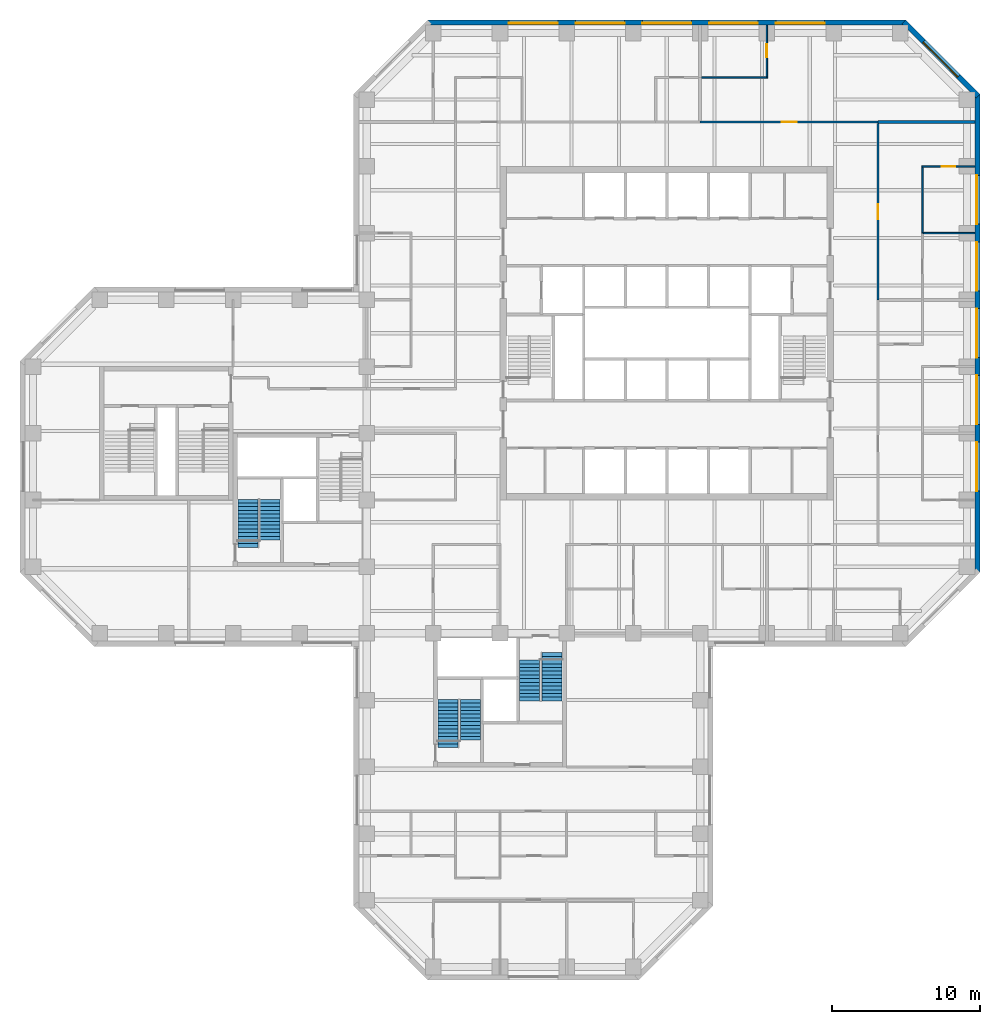
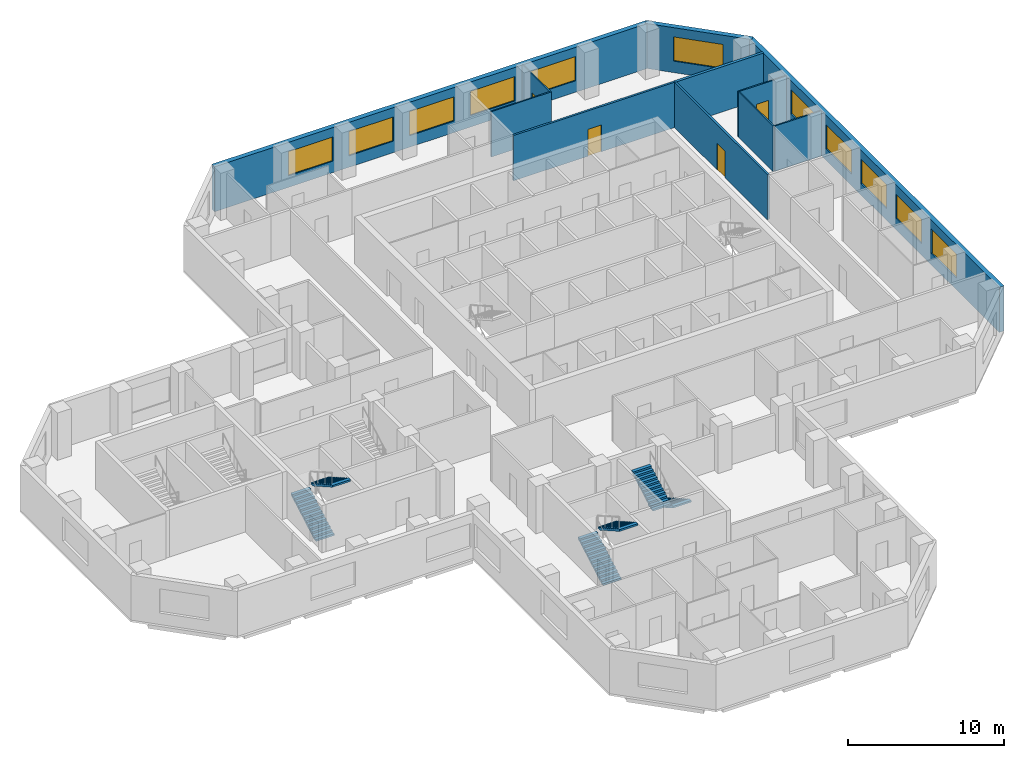
# One storey, part 9 of 11: 11 walls, 11 windows, 6 stair flights, 4 doors, 15 openings, 3 elements without a shape of their own.
"""IFC4 building model written with IfcOpenShell, lengths in metres."""

from ifc_helpers import new_model, si_unit, direction, frame, frame_2d, origin, place, context, subcontext, project, spatial, polyline, rectangle, outline, extrude, material, layer, layer_set, constituent, constituent_set, type_object, element, fill, aggregate, save


model = new_model("IFC4")

# Units and contexts
model_context = context("Model", 3, precision=1e-05, world=origin(), true_north=direction((0.0, 1.0)))
body_context = subcontext(model_context, "Body", "Model", "MODEL_VIEW")
ifc_project = project(units=[si_unit("LENGTHUNIT", "METRE"), si_unit("AREAUNIT", "SQUARE_METRE"), si_unit("VOLUMEUNIT", "CUBIC_METRE"), si_unit("PLANEANGLEUNIT", "RADIAN"), si_unit("MASSUNIT", "GRAM", prefix="KILO")], contexts=[model_context])

# Site, building, storey
site_placement = place(None, origin())
site = spatial("IfcSite", under=ifc_project, at=site_placement, CompositionType="ELEMENT")
building_placement = place(site_placement, origin())
building = spatial("IfcBuilding", under=site, at=building_placement, Name="Quoin Convention Tower", CompositionType="ELEMENT")
storey_placement = place(building_placement, frame((0.0, 0.0, 130.699951171875)))
storey = spatial("IfcBuildingStorey", under=building, at=storey_placement, Name="L34", CompositionType="ELEMENT", Elevation=130.699951171875)

# Wall, openings, windows
ifc_material_1 = material(Name="Brick masonry", Category="masonry")
ifc_layer_1 = layer(ifc_material_1, 0.35009765625)
ifc_layer_set_1 = layer_set([ifc_layer_1], Name="Brick masonry")
wall_type_1 = type_object("IfcWallType", Name="Brick facade wall", PredefinedType="STANDARD", material=ifc_layer_set_1)
wall_1_placement = place(storey_placement, frame((77.199951171875, 44.6376953125, 0.0), z_axis=(0.0, 0.0, 1.0), x_axis=(0.0, 1.0, 0.0)))
wall_1 = element("IfcWall", 1, at=wall_1_placement, inside=storey, type_object=wall_type_1, Name="fw-L34-76500_45000", PredefinedType="STANDARD", context=body_context, shape_type="SweptSolid", body=[
    extrude(rectangle(XDim=32.224609375, YDim=0.35009765625, at=frame_2d((16.1123046875, 0.0))), origin(), (0.0, 0.0, 1.0), 3.525146484375),
])
opening_1_placement = place(wall_1_placement, frame((5.46240234375, 0.0, 0.89990234375)))
opening_1 = element("IfcOpeningElement", 2, at=opening_1_placement, cuts=wall_1, Name="Opening W-02", PredefinedType="OPENING", context=body_context, shape_type="SweptSolid", body=[
    extrude(rectangle(XDim=3.300048828125, YDim=1.89990234375, at=frame_2d((1.64990234375, 0.949951171875))), frame((0.0, 0.18505859375, 0.0), z_axis=(0.0, -1.0, 0.0), x_axis=(1.0, 0.0, 0.0)), (0.0, 0.0, 1.0), 0.3701171875),
])
opening_2_placement = place(wall_1_placement, frame((9.96240234375, 0.0, 0.89990234375)))
opening_2 = element("IfcOpeningElement", 3, at=opening_2_placement, cuts=wall_1, Name="Opening W-02", PredefinedType="OPENING", context=body_context, shape_type="SweptSolid", body=[
    extrude(rectangle(XDim=3.300048828125, YDim=1.89990234375, at=frame_2d((1.64990234375, 0.949951171875))), frame((0.0, 0.18505859375, 0.0), z_axis=(0.0, -1.0, 0.0), x_axis=(1.0, 0.0, 0.0)), (0.0, 0.0, 1.0), 0.3701171875),
])
opening_3_placement = place(wall_1_placement, frame((14.46240234375, 0.0, 0.89990234375)))
opening_3 = element("IfcOpeningElement", 4, at=opening_3_placement, cuts=wall_1, Name="Opening W-02", PredefinedType="OPENING", context=body_context, shape_type="SweptSolid", body=[
    extrude(rectangle(XDim=3.300048828125, YDim=1.89990234375, at=frame_2d((1.64990234375, 0.949951171875))), frame((0.0, 0.18505859375, 0.0), z_axis=(0.0, -1.0, 0.0), x_axis=(1.0, 0.0, 0.0)), (0.0, 0.0, 1.0), 0.3701171875),
])
opening_4_placement = place(wall_1_placement, frame((18.96240234375, 0.0, 0.89990234375)))
opening_4 = element("IfcOpeningElement", 5, at=opening_4_placement, cuts=wall_1, Name="Opening W-02", PredefinedType="OPENING", context=body_context, shape_type="SweptSolid", body=[
    extrude(rectangle(XDim=3.300048828125, YDim=1.89990234375, at=frame_2d((1.64990234375, 0.949951171875))), frame((0.0, 0.18505859375, 0.0), z_axis=(0.0, -1.0, 0.0), x_axis=(1.0, 0.0, 0.0)), (0.0, 0.0, 1.0), 0.3701171875),
])
opening_5_placement = place(wall_1_placement, frame((23.46240234375, 0.0, 0.89990234375)))
opening_5 = element("IfcOpeningElement", 6, at=opening_5_placement, cuts=wall_1, Name="Opening W-02", PredefinedType="OPENING", context=body_context, shape_type="SweptSolid", body=[
    extrude(rectangle(XDim=3.300048828125, YDim=1.89990234375, at=frame_2d((1.64990234375, 0.949951171875))), frame((0.0, 0.18505859375, 0.0), z_axis=(0.0, -1.0, 0.0), x_axis=(1.0, 0.0, 0.0)), (0.0, 0.0, 1.0), 0.3701171875),
])
ifc_material_2 = material(Name="Aluminium", Category="aluminium")
ifc_constituent_1 = constituent(ifc_material_2, Name="Frame")
ifc_material_3 = material(Name="Insulated glass", Category="glass")
ifc_constituent_2 = constituent(ifc_material_3, Name="Glazing")
ifc_constituent_set = constituent_set(constituents=[ifc_constituent_1, ifc_constituent_2], Name="Aluminium")
window_type = type_object("IfcWindowType", Name="Office window", PartitioningType="DOUBLE_PANEL_VERTICAL", PredefinedType="WINDOW", material=ifc_constituent_set)
window_1_placement = place(opening_1_placement, origin())
window_1 = element("IfcWindow", 7, at=window_1_placement, inside=storey, type_object=window_type, Name="win-L34-77200_51750", OverallHeight=1.89990234375, OverallWidth=3.300048828125, PartitioningType="SINGLE_PANEL", PredefinedType="WINDOW", context=body_context, shape_type="SweptSolid", body=[
    extrude(rectangle(XDim=3.300048828125, YDim=1.89990234375, at=frame_2d((1.64990234375, 0.949951171875))), frame((0.0, 0.0849609375, 0.0), z_axis=(0.0, -1.0, 0.0), x_axis=(1.0, 0.0, 0.0)), (0.0, 0.0, 1.0), 0.06005859375),
])
fill(opening_1, window_1)
window_2_placement = place(opening_2_placement, origin())
window_2 = element("IfcWindow", 8, at=window_2_placement, inside=storey, type_object=window_type, Name="win-L34-77200_56250", OverallHeight=1.89990234375, OverallWidth=3.300048828125, PartitioningType="SINGLE_PANEL", PredefinedType="WINDOW", context=body_context, shape_type="SweptSolid", body=[
    extrude(rectangle(XDim=3.300048828125, YDim=1.89990234375, at=frame_2d((1.64990234375, 0.949951171875))), frame((0.0, 0.0849609375, 0.0), z_axis=(0.0, -1.0, 0.0), x_axis=(1.0, 0.0, 0.0)), (0.0, 0.0, 1.0), 0.06005859375),
])
fill(opening_2, window_2)
window_3_placement = place(opening_3_placement, origin())
window_3 = element("IfcWindow", 9, at=window_3_placement, inside=storey, type_object=window_type, Name="win-L34-77200_60750", OverallHeight=1.89990234375, OverallWidth=3.300048828125, PartitioningType="SINGLE_PANEL", PredefinedType="WINDOW", context=body_context, shape_type="SweptSolid", body=[
    extrude(rectangle(XDim=3.300048828125, YDim=1.89990234375, at=frame_2d((1.64990234375, 0.949951171875))), frame((0.0, 0.0849609375, 0.0), z_axis=(0.0, -1.0, 0.0), x_axis=(1.0, 0.0, 0.0)), (0.0, 0.0, 1.0), 0.06005859375),
])
fill(opening_3, window_3)
window_4_placement = place(opening_4_placement, origin())
window_4 = element("IfcWindow", 10, at=window_4_placement, inside=storey, type_object=window_type, Name="win-L34-77200_65250", OverallHeight=1.89990234375, OverallWidth=3.300048828125, PartitioningType="SINGLE_PANEL", PredefinedType="WINDOW", context=body_context, shape_type="SweptSolid", body=[
    extrude(rectangle(XDim=3.300048828125, YDim=1.89990234375, at=frame_2d((1.64990234375, 0.949951171875))), frame((0.0, 0.0849609375, 0.0), z_axis=(0.0, -1.0, 0.0), x_axis=(1.0, 0.0, 0.0)), (0.0, 0.0, 1.0), 0.06005859375),
])
fill(opening_4, window_4)
window_5_placement = place(opening_5_placement, origin())
window_5 = element("IfcWindow", 11, at=window_5_placement, inside=storey, type_object=window_type, Name="win-L34-77200_69750", OverallHeight=1.89990234375, OverallWidth=3.300048828125, PartitioningType="SINGLE_PANEL", PredefinedType="WINDOW", context=body_context, shape_type="SweptSolid", body=[
    extrude(rectangle(XDim=3.300048828125, YDim=1.89990234375, at=frame_2d((1.64990234375, 0.949951171875))), frame((0.0, 0.0849609375, 0.0), z_axis=(0.0, -1.0, 0.0), x_axis=(1.0, 0.0, 0.0)), (0.0, 0.0, 1.0), 0.06005859375),
])
fill(opening_5, window_5)

# Wall, opening, window
wall_2_placement = place(storey_placement, frame((77.251220703125, 76.73876953125, 0.0), z_axis=(0.0, 0.0, 1.0), x_axis=(-0.707106781187, 0.707106781187, 0.0)))
wall_2 = element("IfcWall", 12, at=wall_2_placement, inside=storey, type_object=wall_type_1, Name="fw-L34-76500_76500", PredefinedType="STANDARD", context=body_context, shape_type="SweptSolid", body=[
    extrude(rectangle(XDim=7.088623046875, YDim=0.35009765625, at=frame_2d((3.54443359375, 0.0))), origin(), (0.0, 0.0, 1.0), 3.525146484375),
])
opening_6_placement = place(wall_2_placement, frame((1.894287109375, 0.0, 0.89990234375)))
opening_6 = element("IfcOpeningElement", 13, at=opening_6_placement, cuts=wall_2, Name="Opening W-02", PredefinedType="OPENING", context=body_context, shape_type="SweptSolid", body=[
    extrude(rectangle(XDim=3.300048828125, YDim=1.89990234375, at=frame_2d((1.64990234375, 0.949951171875))), frame((0.0, 0.18505859375, 0.0), z_axis=(0.0, -1.0, 0.0), x_axis=(1.0, 0.0, 0.0)), (0.0, 0.0, 1.0), 0.3701171875),
])
window_6_placement = place(opening_6_placement, origin())
window_6 = element("IfcWindow", 14, at=window_6_placement, inside=storey, type_object=window_type, Name="win-L34-74745_79245", OverallHeight=1.89990234375, OverallWidth=3.300048828125, PartitioningType="SINGLE_PANEL", PredefinedType="WINDOW", context=body_context, shape_type="SweptSolid", body=[
    extrude(rectangle(XDim=3.300048828125, YDim=1.89990234375, at=frame_2d((1.64990234375, 0.949951171875))), frame((0.0, 0.0849609375, 0.0), z_axis=(0.0, -1.0, 0.0), x_axis=(1.0, 0.0, 0.0)), (0.0, 0.0, 1.0), 0.06005859375),
])
fill(opening_6, window_6)

# Wall, openings, windows
wall_3_placement = place(storey_placement, frame((72.3623046875, 81.699951171875, 0.0), z_axis=(0.0, 0.0, 1.0), x_axis=(-1.0, 0.0, 0.0)))
wall_3 = element("IfcWall", 15, at=wall_3_placement, inside=storey, type_object=wall_type_1, Name="fw-L34-72000_81000", PredefinedType="STANDARD", context=body_context, shape_type="SweptSolid", body=[
    extrude(rectangle(XDim=32.224609375, YDim=0.35009765625, at=frame_2d((16.1123046875, 0.0))), origin(), (0.0, 0.0, 1.0), 3.525146484375),
])
opening_7_placement = place(wall_3_placement, frame((5.46240234375, 0.0, 0.89990234375)))
opening_7 = element("IfcOpeningElement", 16, at=opening_7_placement, cuts=wall_3, Name="Opening W-02", PredefinedType="OPENING", context=body_context, shape_type="SweptSolid", body=[
    extrude(rectangle(XDim=3.300048828125, YDim=1.89990234375, at=frame_2d((1.64990234375, 0.949951171875))), frame((0.0, 0.18505859375, 0.0), z_axis=(0.0, -1.0, 0.0), x_axis=(1.0, 0.0, 0.0)), (0.0, 0.0, 1.0), 0.3701171875),
])
opening_8_placement = place(wall_3_placement, frame((9.96240234375, 0.0, 0.89990234375)))
opening_8 = element("IfcOpeningElement", 17, at=opening_8_placement, cuts=wall_3, Name="Opening W-02", PredefinedType="OPENING", context=body_context, shape_type="SweptSolid", body=[
    extrude(rectangle(XDim=3.300048828125, YDim=1.89990234375, at=frame_2d((1.64990234375, 0.949951171875))), frame((0.0, 0.18505859375, 0.0), z_axis=(0.0, -1.0, 0.0), x_axis=(1.0, 0.0, 0.0)), (0.0, 0.0, 1.0), 0.3701171875),
])
opening_9_placement = place(wall_3_placement, frame((14.46240234375, 0.0, 0.89990234375)))
opening_9 = element("IfcOpeningElement", 18, at=opening_9_placement, cuts=wall_3, Name="Opening W-02", PredefinedType="OPENING", context=body_context, shape_type="SweptSolid", body=[
    extrude(rectangle(XDim=3.300048828125, YDim=1.89990234375, at=frame_2d((1.64990234375, 0.949951171875))), frame((0.0, 0.18505859375, 0.0), z_axis=(0.0, -1.0, 0.0), x_axis=(1.0, 0.0, 0.0)), (0.0, 0.0, 1.0), 0.3701171875),
])
opening_10_placement = place(wall_3_placement, frame((18.96240234375, 0.0, 0.89990234375)))
opening_10 = element("IfcOpeningElement", 19, at=opening_10_placement, cuts=wall_3, Name="Opening W-02", PredefinedType="OPENING", context=body_context, shape_type="SweptSolid", body=[
    extrude(rectangle(XDim=3.300048828125, YDim=1.89990234375, at=frame_2d((1.64990234375, 0.949951171875))), frame((0.0, 0.18505859375, 0.0), z_axis=(0.0, -1.0, 0.0), x_axis=(1.0, 0.0, 0.0)), (0.0, 0.0, 1.0), 0.3701171875),
])
opening_11_placement = place(wall_3_placement, frame((23.46240234375, 0.0, 0.89990234375)))
opening_11 = element("IfcOpeningElement", 20, at=opening_11_placement, cuts=wall_3, Name="Opening W-02", PredefinedType="OPENING", context=body_context, shape_type="SweptSolid", body=[
    extrude(rectangle(XDim=3.300048828125, YDim=1.89990234375, at=frame_2d((1.64990234375, 0.949951171875))), frame((0.0, 0.18505859375, 0.0), z_axis=(0.0, -1.0, 0.0), x_axis=(1.0, 0.0, 0.0)), (0.0, 0.0, 1.0), 0.3701171875),
])
window_7_placement = place(opening_7_placement, origin())
window_7 = element("IfcWindow", 21, at=window_7_placement, inside=storey, type_object=window_type, Name="win-L34-65250_81700", OverallHeight=1.89990234375, OverallWidth=3.300048828125, PartitioningType="SINGLE_PANEL", PredefinedType="WINDOW", context=body_context, shape_type="SweptSolid", body=[
    extrude(rectangle(XDim=3.300048828125, YDim=1.89990234375, at=frame_2d((1.64990234375, 0.949951171875))), frame((0.0, 0.0849609375, 0.0), z_axis=(0.0, -1.0, 0.0), x_axis=(1.0, 0.0, 0.0)), (0.0, 0.0, 1.0), 0.06005859375),
])
fill(opening_7, window_7)
window_8_placement = place(opening_8_placement, origin())
window_8 = element("IfcWindow", 22, at=window_8_placement, inside=storey, type_object=window_type, Name="win-L34-60750_81700", OverallHeight=1.89990234375, OverallWidth=3.300048828125, PartitioningType="SINGLE_PANEL", PredefinedType="WINDOW", context=body_context, shape_type="SweptSolid", body=[
    extrude(rectangle(XDim=3.300048828125, YDim=1.89990234375, at=frame_2d((1.64990234375, 0.949951171875))), frame((0.0, 0.0849609375, 0.0), z_axis=(0.0, -1.0, 0.0), x_axis=(1.0, 0.0, 0.0)), (0.0, 0.0, 1.0), 0.06005859375),
])
fill(opening_8, window_8)
window_9_placement = place(opening_9_placement, origin())
window_9 = element("IfcWindow", 23, at=window_9_placement, inside=storey, type_object=window_type, Name="win-L34-56250_81700", OverallHeight=1.89990234375, OverallWidth=3.300048828125, PartitioningType="SINGLE_PANEL", PredefinedType="WINDOW", context=body_context, shape_type="SweptSolid", body=[
    extrude(rectangle(XDim=3.300048828125, YDim=1.89990234375, at=frame_2d((1.64990234375, 0.949951171875))), frame((0.0, 0.0849609375, 0.0), z_axis=(0.0, -1.0, 0.0), x_axis=(1.0, 0.0, 0.0)), (0.0, 0.0, 1.0), 0.06005859375),
])
fill(opening_9, window_9)
window_10_placement = place(opening_10_placement, origin())
window_10 = element("IfcWindow", 24, at=window_10_placement, inside=storey, type_object=window_type, Name="win-L34-51750_81700", OverallHeight=1.89990234375, OverallWidth=3.300048828125, PartitioningType="SINGLE_PANEL", PredefinedType="WINDOW", context=body_context, shape_type="SweptSolid", body=[
    extrude(rectangle(XDim=3.300048828125, YDim=1.89990234375, at=frame_2d((1.64990234375, 0.949951171875))), frame((0.0, 0.0849609375, 0.0), z_axis=(0.0, -1.0, 0.0), x_axis=(1.0, 0.0, 0.0)), (0.0, 0.0, 1.0), 0.06005859375),
])
fill(opening_10, window_10)
window_11_placement = place(opening_11_placement, origin())
window_11 = element("IfcWindow", 25, at=window_11_placement, inside=storey, type_object=window_type, Name="win-L34-47250_81700", OverallHeight=1.89990234375, OverallWidth=3.300048828125, PartitioningType="SINGLE_PANEL", PredefinedType="WINDOW", context=body_context, shape_type="SweptSolid", body=[
    extrude(rectangle(XDim=3.300048828125, YDim=1.89990234375, at=frame_2d((1.64990234375, 0.949951171875))), frame((0.0, 0.0849609375, 0.0), z_axis=(0.0, -1.0, 0.0), x_axis=(1.0, 0.0, 0.0)), (0.0, 0.0, 1.0), 0.06005859375),
])
fill(opening_11, window_11)

# Wall, opening, door
ifc_material_4 = material(Name="Plasterboard")
ifc_layer_2 = layer(ifc_material_4, 0.012451171875, Name="Finish")
ifc_material_5 = material(Name="Steel stud framing", Category="steel")
ifc_layer_3 = layer(ifc_material_5, 0.125, Name="Structure")
ifc_layer_4 = layer(ifc_material_4, 0.012451171875, Name="Finish")
ifc_layer_set_2 = layer_set([ifc_layer_2, ifc_layer_3, ifc_layer_4], Name="Steel stud framing")
wall_type_2 = type_object("IfcWallType", Name="Corridor wall 150", PredefinedType="PARTITIONING", material=ifc_layer_set_2)
wall_4_placement = place(storey_placement, frame((58.5, 75.0, 0.0), z_axis=(0.0, 0.0, 1.0), x_axis=(1.0, 0.0, 0.0)))
wall_4 = element("IfcWall", 26, at=wall_4_placement, inside=storey, type_object=wall_type_2, Name="pw-L34-053", PredefinedType="PARTITIONING", context=body_context, shape_type="SweptSolid", body=[
    extrude(rectangle(XDim=12.0, YDim=0.14990234375, at=frame_2d((6.0, 0.0))), origin(), (0.0, 0.0, 1.0), 3.550048828125),
])
opening_12_placement = place(wall_4_placement, frame((5.5, 0.0, 0.0)))
opening_12 = element("IfcOpeningElement", 27, at=opening_12_placement, cuts=wall_4, Name="Opening DOL7-22", PredefinedType="OPENING", context=body_context, shape_type="SweptSolid", body=[
    extrude(rectangle(XDim=1.0, YDim=2.10009765625, at=frame_2d((0.5, 1.050048828125))), frame((0.0, 0.0849609375, 0.0), z_axis=(0.0, -1.0, 0.0), x_axis=(1.0, 0.0, 0.0)), (0.0, 0.0, 1.0), 0.169921875),
])
ifc_material_6 = material(Name="Steel door leaf", Category="steel")
door_type_1 = type_object("IfcDoorType", Name="Tenancy entrance door 1000 x 2100", OperationType="DOUBLE_DOOR_SINGLE_SWING", PredefinedType="DOOR", material=ifc_material_6)
door_1_placement = place(opening_12_placement, origin())
door_1 = element("IfcDoor", 28, at=door_1_placement, inside=storey, type_object=door_type_1, Name="dr-L34-36", OperationType="DOUBLE_DOOR_SINGLE_SWING", OverallHeight=2.10009765625, OverallWidth=1.0, PredefinedType="DOOR", context=body_context, shape_type="SweptSolid", body=[
    extrude(rectangle(XDim=1.0, YDim=2.10009765625, at=frame_2d((0.5, 1.050048828125))), frame((0.0, 0.02490234375, 0.0), z_axis=(0.0, -1.0, 0.0), x_axis=(1.0, 0.0, 0.0)), (0.0, 0.0, 1.0), 0.050048828125),
])
fill(opening_12, door_1)

wall_5_placement = place(storey_placement, frame((70.5, 63.0, 0.0), z_axis=(0.0, 0.0, 1.0), x_axis=(0.0, 1.0, 0.0)))
wall_5 = element("IfcWall", 29, at=wall_5_placement, inside=storey, type_object=wall_type_2, Name="pw-L34-099", PredefinedType="PARTITIONING", context=body_context, shape_type="SweptSolid", body=[
    extrude(rectangle(XDim=11.89990234375, YDim=0.14990234375, at=frame_2d((5.949951171875, 0.0))), origin(), (0.0, 0.0, 1.0), 3.550048828125),
])
opening_13_placement = place(wall_5_placement, frame((5.449951171875, 0.0, 0.0)))
opening_13 = element("IfcOpeningElement", 30, at=opening_13_placement, cuts=wall_5, Name="Opening DOL7-33", PredefinedType="OPENING", context=body_context, shape_type="SweptSolid", body=[
    extrude(rectangle(XDim=1.0, YDim=2.10009765625, at=frame_2d((0.5, 1.050048828125))), frame((0.0, 0.0849609375, 0.0), z_axis=(0.0, -1.0, 0.0), x_axis=(1.0, 0.0, 0.0)), (0.0, 0.0, 1.0), 0.169921875),
])
door_2_placement = place(opening_13_placement, frame((1.0, 0.0, 0.0), z_axis=(0.0, 0.0, 1.0), x_axis=(-1.0, 0.0, 0.0)))
door_2 = element("IfcDoor", 31, at=door_2_placement, inside=storey, type_object=door_type_1, Name="dr-L34-29", OperationType="DOUBLE_DOOR_SINGLE_SWING", OverallHeight=2.10009765625, OverallWidth=1.0, PredefinedType="DOOR", context=body_context, shape_type="SweptSolid", body=[
    extrude(rectangle(XDim=1.0, YDim=2.10009765625, at=frame_2d((0.5, 1.050048828125))), frame((0.0, 0.02490234375, 0.0), z_axis=(0.0, -1.0, 0.0), x_axis=(1.0, 0.0, 0.0)), (0.0, 0.0, 1.0), 0.050048828125),
])
fill(opening_13, door_2)

# Wall
ifc_layer_5 = layer(ifc_material_4, 0.012451171875, Name="Finish")
ifc_layer_6 = layer(ifc_material_5, 0.074951171875, Name="Structure")
ifc_layer_7 = layer(ifc_material_4, 0.012451171875, Name="Finish")
ifc_layer_set_3 = layer_set([ifc_layer_5, ifc_layer_6, ifc_layer_7], Name="Steel stud framing")
wall_type_3 = type_object("IfcWallType", Name="Stud partition 100", PredefinedType="PARTITIONING", material=ifc_layer_set_3)
wall_6_placement = place(storey_placement, frame((73.550048828125, 67.5, 0.0), z_axis=(0.0, 0.0, 1.0), x_axis=(1.0, 0.0, 0.0)))
element("IfcWall", 32, at=wall_6_placement, inside=storey, type_object=wall_type_3, Name="pw-L34-046", PredefinedType="PARTITIONING", context=body_context, shape_type="SweptSolid", body=[
    extrude(rectangle(XDim=3.474853515625, YDim=0.10009765625, at=frame_2d((1.7373046875, 0.0))), origin(), (0.0, 0.0, 1.0), 3.550048828125),
])

# Wall, opening, door
wall_7_placement = place(storey_placement, frame((73.449951171875, 72.0, 0.0), z_axis=(0.0, 0.0, 1.0), x_axis=(1.0, 0.0, 0.0)))
wall_7 = element("IfcWall", 33, at=wall_7_placement, inside=storey, type_object=wall_type_3, Name="pw-L34-047", PredefinedType="PARTITIONING", context=body_context, shape_type="SweptSolid", body=[
    extrude(rectangle(XDim=3.574951171875, YDim=0.10009765625, at=frame_2d((1.78759765625, 0.0))), origin(), (0.0, 0.0, 1.0), 3.550048828125),
])
opening_14_placement = place(wall_7_placement, frame((1.35009765625, 0.0, 0.0)))
opening_14 = element("IfcOpeningElement", 34, at=opening_14_placement, cuts=wall_7, Name="Opening DOL7-20", PredefinedType="OPENING", context=body_context, shape_type="SweptSolid", body=[
    extrude(rectangle(XDim=0.89990234375, YDim=2.10009765625, at=frame_2d((0.449951171875, 1.050048828125))), frame((0.0, 0.06005859375, 0.0), z_axis=(0.0, -1.0, 0.0), x_axis=(1.0, 0.0, 0.0)), (0.0, 0.0, 1.0), 0.1201171875),
])
door_type_2 = type_object("IfcDoorType", Name="Office door 900 x 2100", OperationType="SINGLE_SWING_RIGHT", PredefinedType="DOOR", material=ifc_material_6)
door_3_placement = place(opening_14_placement, origin())
door_3 = element("IfcDoor", 35, at=door_3_placement, inside=storey, type_object=door_type_2, Name="dr-L34-31", OperationType="SINGLE_SWING_RIGHT", OverallHeight=2.10009765625, OverallWidth=0.89990234375, PredefinedType="DOOR", context=body_context, shape_type="SweptSolid", body=[
    extrude(rectangle(XDim=0.89990234375, YDim=2.10009765625, at=frame_2d((0.449951171875, 1.050048828125))), frame((0.0, 0.02490234375, 0.0), z_axis=(0.0, -1.0, 0.0), x_axis=(1.0, 0.0, 0.0)), (0.0, 0.0, 1.0), 0.050048828125),
])
fill(opening_14, door_3)

# Walls
for number, where, z_axis, x_axis, name in (
    (36, (58.60009765625, 78.0, 0.0), (0.0, 0.0, 1.0), (1.0, 0.0, 0.0), "pw-L34-057"),
    (37, (73.5, 67.5, 0.0), (0.0, 0.0, 1.0), (0.0, 1.0, 0.0), "pw-L34-101"),
):
    element("IfcWall", number, at=place(storey_placement, frame(where, z_axis=z_axis, x_axis=x_axis)), inside=storey, type_object=wall_type_3, Name=name, PredefinedType="PARTITIONING", context=body_context, shape_type="SweptSolid", body=[
        extrude(rectangle(XDim=4.449951171875, YDim=0.10009765625, at=frame_2d((2.22509765625, 0.0))), origin(), (0.0, 0.0, 1.0), 3.550048828125),
    ])

# Wall, opening, door
wall_8_placement = place(storey_placement, frame((63.0, 78.050048828125, 0.0), z_axis=(0.0, 0.0, 1.0), x_axis=(0.0, 1.0, 0.0)))
wall_8 = element("IfcWall", 38, at=wall_8_placement, inside=storey, type_object=wall_type_3, Name="pw-L34-108", PredefinedType="PARTITIONING", context=body_context, shape_type="SweptSolid", body=[
    extrude(rectangle(XDim=3.474853515625, YDim=0.10009765625, at=frame_2d((1.7373046875, 0.0))), origin(), (0.0, 0.0, 1.0), 3.550048828125),
])
opening_15_placement = place(wall_8_placement, frame((1.300048828125, 0.0, 0.0)))
opening_15 = element("IfcOpeningElement", 39, at=opening_15_placement, cuts=wall_8, Name="Opening DOL7-36", PredefinedType="OPENING", context=body_context, shape_type="SweptSolid", body=[
    extrude(rectangle(XDim=0.89990234375, YDim=2.10009765625, at=frame_2d((0.449951171875, 1.050048828125))), frame((0.0, 0.06005859375, 0.0), z_axis=(0.0, -1.0, 0.0), x_axis=(1.0, 0.0, 0.0)), (0.0, 0.0, 1.0), 0.1201171875),
])
door_4_placement = place(opening_15_placement, frame((0.89990234375, 0.0, 0.0), z_axis=(0.0, 0.0, 1.0), x_axis=(-1.0, 0.0, 0.0)))
door_4 = element("IfcDoor", 40, at=door_4_placement, inside=storey, type_object=door_type_2, Name="dr-L34-37", OperationType="SINGLE_SWING_LEFT", OverallHeight=2.10009765625, OverallWidth=0.89990234375, PredefinedType="DOOR", context=body_context, shape_type="SweptSolid", body=[
    extrude(rectangle(XDim=0.89990234375, YDim=2.10009765625, at=frame_2d((0.449951171875, 1.050048828125))), frame((0.0, 0.02490234375, 0.0), z_axis=(0.0, -1.0, 0.0), x_axis=(1.0, 0.0, 0.0)), (0.0, 0.0, 1.0), 0.050048828125),
])
fill(opening_15, door_4)

# Wall
ifc_layer_8 = layer(ifc_material_4, 0.012451171875, Name="Finish")
ifc_layer_9 = layer(ifc_material_5, 0.175048828125, Name="Structure")
ifc_layer_10 = layer(ifc_material_4, 0.012451171875, Name="Finish")
ifc_layer_set_4 = layer_set([ifc_layer_8, ifc_layer_9, ifc_layer_10], Name="Steel stud framing")
wall_type_4 = type_object("IfcWallType", Name="Tenancy demising wall 200", PredefinedType="PARTITIONING", material=ifc_layer_set_4)
wall_9_placement = place(storey_placement, frame((70.5, 75.0, 0.0), z_axis=(0.0, 0.0, 1.0), x_axis=(1.0, 0.0, 0.0)))
element("IfcWall", 41, at=wall_9_placement, inside=storey, type_object=wall_type_4, Name="pw-L34-054", PredefinedType="PARTITIONING", context=body_context, shape_type="SweptSolid", body=[
    extrude(rectangle(XDim=6.52490234375, YDim=0.199951171875, at=frame_2d((3.262451171875, 0.0))), origin(), (0.0, 0.0, 1.0), 3.550048828125),
])

# Stair, stair flights
ifc_material_7 = material(Name="Concrete C40", Category="concrete")
stair_type = type_object("IfcStairType", Name="Exit stair two-flight 1350", PredefinedType="HALF_TURN_STAIR", material=ifc_material_7)
stair_1_placement = place(storey_placement, origin())
stair_1 = element("IfcStair", 42, at=stair_1_placement, inside=storey, type_object=stair_type, Name="SD3 L34", PredefinedType="HALF_TURN_STAIR")
stair_flight_type = type_object("IfcStairFlightType", Name="Stair flight 1350", PredefinedType="STRAIGHT", material=ifc_material_7)
stair_flight_1_placement = place(storey_placement, frame((28.0, 46.300048828125, 0.0), z_axis=(0.0, 0.0, 1.0), x_axis=(0.0, 1.0, 0.0)))
stair_flight_1 = element("IfcStairFlight", 43, at=stair_flight_1_placement, type_object=stair_flight_type, Name="ST3 flight 1", NumberOfRisers=14, NumberOfTreads=13, PredefinedType="STRAIGHT", RiserHeight=0.142307692, TreadLength=0.25, context=body_context, shape_type="SweptSolid", body=[
    extrude(outline(polyline([(0.0, 0.0), (0.0, 0.142333984375), (0.25, 0.142333984375), (0.25, 0.28466796875), (0.5, 0.28466796875), (0.5, 0.427001953125), (0.75, 0.427001953125), (0.75, 0.5693359375), (1.0, 0.5693359375), (1.0, 0.71142578125), (1.25, 0.71142578125), (1.25, 0.853759765625), (1.5, 0.853759765625), (1.5, 0.99609375), (1.75, 0.99609375), (1.75, 1.138427734375), (2.0, 1.138427734375), (2.0, 1.28076171875), (2.25, 1.28076171875), (2.25, 1.423095703125), (2.5, 1.423095703125), (2.5, 1.5654296875), (2.75, 1.5654296875), (2.75, 1.707763671875), (3.0, 1.707763671875), (3.0, 1.85009765625), (3.25, 1.85009765625), (3.25, 1.9921875), (3.25, 1.711669921875), (0.242919921875, 0.0), (0.0, 0.0)])), frame((0.0, 0.675048828125, 0.0), z_axis=(0.0, -1.0, 0.0), x_axis=(1.0, 0.0, 0.0)), (0.0, 0.0, 1.0), 1.35009765625),
])
stair_flight_2_placement = place(storey_placement, frame((29.5, 49.550048828125, 1.992431640625), z_axis=(0.0, 0.0, 1.0), x_axis=(0.0, -1.0, 0.0)))
stair_flight_2 = element("IfcStairFlight", 44, at=stair_flight_2_placement, type_object=stair_flight_type, Name="ST3 flight 2", NumberOfRisers=12, NumberOfTreads=11, PredefinedType="STRAIGHT", RiserHeight=0.142307692, TreadLength=0.25, context=body_context, shape_type="SweptSolid", body=[
    extrude(outline(polyline([(0.0, 0.0), (0.0, 0.142333984375), (0.25, 0.142333984375), (0.25, 0.28466796875), (0.5, 0.28466796875), (0.5, 0.427001953125), (0.75, 0.427001953125), (0.75, 0.5693359375), (1.0, 0.5693359375), (1.0, 0.71142578125), (1.25, 0.71142578125), (1.25, 0.853759765625), (1.5, 0.853759765625), (1.5, 0.99609375), (1.75, 0.99609375), (1.75, 1.138427734375), (2.0, 1.138427734375), (2.0, 1.28076171875), (2.25, 1.28076171875), (2.25, 1.423095703125), (2.5, 1.423095703125), (2.5, 1.5654296875), (2.75, 1.5654296875), (2.75, 1.707763671875), (2.75, 1.42724609375), (0.242919921875, 0.0), (0.0, 0.0)])), frame((0.0, 0.675048828125, 0.0), z_axis=(0.0, -1.0, 0.0), x_axis=(1.0, 0.0, 0.0)), (0.0, 0.0, 1.0), 1.35009765625),
])
aggregate(stair_1, [stair_flight_1, stair_flight_2])

stair_2_placement = place(storey_placement, origin())
stair_2 = element("IfcStair", 45, at=stair_2_placement, inside=storey, type_object=stair_type, Name="SD5 L34", PredefinedType="HALF_TURN_STAIR")
stair_flight_3_placement = place(storey_placement, frame((41.5, 32.800048828125, 0.0), z_axis=(0.0, 0.0, 1.0), x_axis=(0.0, 1.0, 0.0)))
stair_flight_3 = element("IfcStairFlight", 46, at=stair_flight_3_placement, type_object=stair_flight_type, Name="ST5 flight 1", NumberOfRisers=14, NumberOfTreads=13, PredefinedType="STRAIGHT", RiserHeight=0.142307692, TreadLength=0.25, context=body_context, shape_type="SweptSolid", body=[
    extrude(outline(polyline([(0.0, 0.0), (0.0, 0.142333984375), (0.25, 0.142333984375), (0.25, 0.28466796875), (0.5, 0.28466796875), (0.5, 0.427001953125), (0.75, 0.427001953125), (0.75, 0.5693359375), (1.0, 0.5693359375), (1.0, 0.71142578125), (1.25, 0.71142578125), (1.25, 0.853759765625), (1.5, 0.853759765625), (1.5, 0.99609375), (1.75, 0.99609375), (1.75, 1.138427734375), (2.0, 1.138427734375), (2.0, 1.28076171875), (2.25, 1.28076171875), (2.25, 1.423095703125), (2.5, 1.423095703125), (2.5, 1.5654296875), (2.75, 1.5654296875), (2.75, 1.707763671875), (3.0, 1.707763671875), (3.0, 1.85009765625), (3.25, 1.85009765625), (3.25, 1.9921875), (3.25, 1.711669921875), (0.242919921875, 0.0), (0.0, 0.0)])), frame((0.0, 0.675048828125, 0.0), z_axis=(0.0, -1.0, 0.0), x_axis=(1.0, 0.0, 0.0)), (0.0, 0.0, 1.0), 1.35009765625),
])
stair_flight_4_placement = place(storey_placement, frame((43.0, 36.050048828125, 1.992431640625), z_axis=(0.0, 0.0, 1.0), x_axis=(0.0, -1.0, 0.0)))
stair_flight_4 = element("IfcStairFlight", 47, at=stair_flight_4_placement, type_object=stair_flight_type, Name="ST5 flight 2", NumberOfRisers=12, NumberOfTreads=11, PredefinedType="STRAIGHT", RiserHeight=0.142307692, TreadLength=0.25, context=body_context, shape_type="SweptSolid", body=[
    extrude(outline(polyline([(0.0, 0.0), (0.0, 0.142333984375), (0.25, 0.142333984375), (0.25, 0.28466796875), (0.5, 0.28466796875), (0.5, 0.427001953125), (0.75, 0.427001953125), (0.75, 0.5693359375), (1.0, 0.5693359375), (1.0, 0.71142578125), (1.25, 0.71142578125), (1.25, 0.853759765625), (1.5, 0.853759765625), (1.5, 0.99609375), (1.75, 0.99609375), (1.75, 1.138427734375), (2.0, 1.138427734375), (2.0, 1.28076171875), (2.25, 1.28076171875), (2.25, 1.423095703125), (2.5, 1.423095703125), (2.5, 1.5654296875), (2.75, 1.5654296875), (2.75, 1.707763671875), (2.75, 1.42724609375), (0.242919921875, 0.0), (0.0, 0.0)])), frame((0.0, 0.675048828125, 0.0), z_axis=(0.0, -1.0, 0.0), x_axis=(1.0, 0.0, 0.0)), (0.0, 0.0, 1.0), 1.35009765625),
])
aggregate(stair_2, [stair_flight_3, stair_flight_4])

stair_3_placement = place(storey_placement, origin())
stair_3 = element("IfcStair", 48, at=stair_3_placement, inside=storey, type_object=stair_type, Name="SD6 L34", PredefinedType="HALF_TURN_STAIR")
stair_flight_5_placement = place(storey_placement, frame((48.5, 39.199951171875, 0.0), z_axis=(0.0, 0.0, 1.0), x_axis=(0.0, -1.0, 0.0)))
stair_flight_5 = element("IfcStairFlight", 49, at=stair_flight_5_placement, type_object=stair_flight_type, Name="ST6 flight 1", NumberOfRisers=14, NumberOfTreads=13, PredefinedType="STRAIGHT", RiserHeight=0.142307692, TreadLength=0.25, context=body_context, shape_type="SweptSolid", body=[
    extrude(outline(polyline([(0.0, 0.0), (0.0, 0.142333984375), (0.25, 0.142333984375), (0.25, 0.28466796875), (0.5, 0.28466796875), (0.5, 0.427001953125), (0.75, 0.427001953125), (0.75, 0.5693359375), (1.0, 0.5693359375), (1.0, 0.71142578125), (1.25, 0.71142578125), (1.25, 0.853759765625), (1.5, 0.853759765625), (1.5, 0.99609375), (1.75, 0.99609375), (1.75, 1.138427734375), (2.0, 1.138427734375), (2.0, 1.28076171875), (2.25, 1.28076171875), (2.25, 1.423095703125), (2.5, 1.423095703125), (2.5, 1.5654296875), (2.75, 1.5654296875), (2.75, 1.707763671875), (3.0, 1.707763671875), (3.0, 1.85009765625), (3.25, 1.85009765625), (3.25, 1.9921875), (3.25, 1.711669921875), (0.242919921875, 0.0), (0.0, 0.0)])), frame((0.0, 0.675048828125, 0.0), z_axis=(0.0, -1.0, 0.0), x_axis=(1.0, 0.0, 0.0)), (0.0, 0.0, 1.0), 1.35009765625),
])
stair_flight_6_placement = place(storey_placement, frame((47.0, 35.949951171875, 1.992431640625), z_axis=(0.0, 0.0, 1.0), x_axis=(0.0, 1.0, 0.0)))
stair_flight_6 = element("IfcStairFlight", 50, at=stair_flight_6_placement, type_object=stair_flight_type, Name="ST6 flight 2", NumberOfRisers=12, NumberOfTreads=11, PredefinedType="STRAIGHT", RiserHeight=0.142307692, TreadLength=0.25, context=body_context, shape_type="SweptSolid", body=[
    extrude(outline(polyline([(0.0, 0.0), (0.0, 0.142333984375), (0.25, 0.142333984375), (0.25, 0.28466796875), (0.5, 0.28466796875), (0.5, 0.427001953125), (0.75, 0.427001953125), (0.75, 0.5693359375), (1.0, 0.5693359375), (1.0, 0.71142578125), (1.25, 0.71142578125), (1.25, 0.853759765625), (1.5, 0.853759765625), (1.5, 0.99609375), (1.75, 0.99609375), (1.75, 1.138427734375), (2.0, 1.138427734375), (2.0, 1.28076171875), (2.25, 1.28076171875), (2.25, 1.423095703125), (2.5, 1.423095703125), (2.5, 1.5654296875), (2.75, 1.5654296875), (2.75, 1.707763671875), (2.75, 1.42724609375), (0.242919921875, 0.0), (0.0, 0.0)])), frame((0.0, 0.675048828125, 0.0), z_axis=(0.0, -1.0, 0.0), x_axis=(1.0, 0.0, 0.0)), (0.0, 0.0, 1.0), 1.35009765625),
])
aggregate(stair_3, [stair_flight_5, stair_flight_6])

save(model, "model.ifc")
